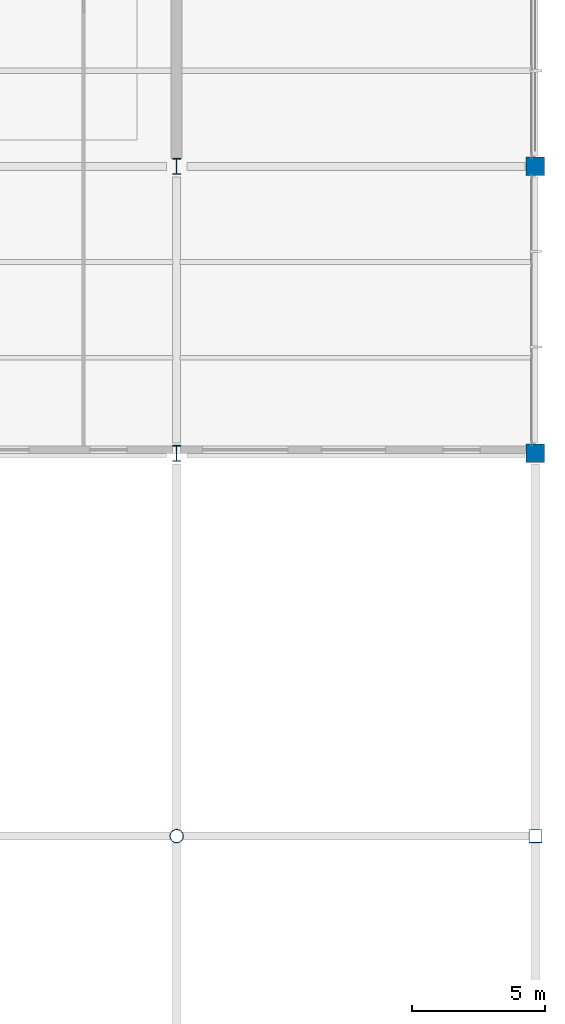
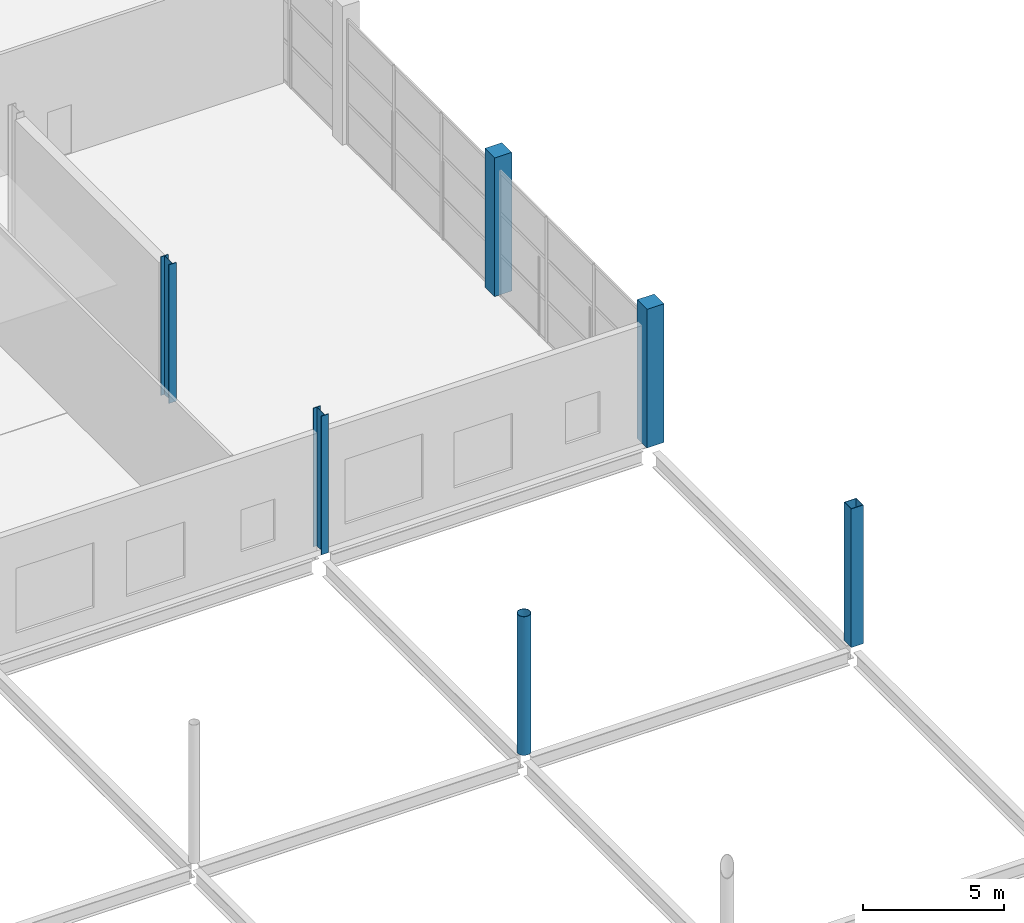
# One storey, part 19 of 191: 6 columns.
"""IFC4 building model written with IfcOpenShell, lengths in metres."""

from ifc_helpers import new_model, si_unit, direction, frame, origin, origin_2d, place, context, subcontext, project, spatial, rectangle, hollow_rectangle, hollow_circle, i_section, extrude, material, material_profile, profile_set, type_object, element, save


model = new_model("IFC4")

# Units and contexts
model_context = context("Model", 3, precision=1e-05, world=origin(), true_north=direction((0.0, 1.0)))
body_context = subcontext(model_context, "Body", "Model", "MODEL_VIEW")
ifc_project = project(units=[si_unit("LENGTHUNIT", "METRE"), si_unit("AREAUNIT", "SQUARE_METRE"), si_unit("VOLUMEUNIT", "CUBIC_METRE"), si_unit("PLANEANGLEUNIT", "RADIAN"), si_unit("MASSUNIT", "GRAM", prefix="KILO")], contexts=[model_context])

# Site, building, storey
site_placement = place(None, origin())
site = spatial("IfcSite", under=ifc_project, at=site_placement, CompositionType="ELEMENT")
building_placement = place(site_placement, origin())
building = spatial("IfcBuilding", under=site, at=building_placement, Name="Tamarisk Ironworks Central Station", CompositionType="ELEMENT")
storey_placement = place(building_placement, frame((0.0, 0.0, 6.60009765625)))
storey = spatial("IfcBuildingStorey", under=building, at=storey_placement, Name="L01", CompositionType="ELEMENT", Elevation=6.60009765625)

# Columns
ifc_material_1 = material(Name="Concrete C50/60", Category="concrete")
ifc_material_profile_1 = material_profile(ifc_material_1, rectangle(XDim=0.699951171875, YDim=0.699951171875, at=origin_2d()), Name="RC 700x700")
ifc_profile_set_1 = profile_set([ifc_material_profile_1], Name="Concrete C50/60")
column_type_1 = type_object("IfcColumnType", Name="COL-RC02", PredefinedType="COLUMN", material=ifc_profile_set_1)
for number, where, z_axis, x_axis, name in (
    (1, (180.0, 79.199951171875, 0.0), (0.0, 0.0, 1.0), (1.0, 0.0, 0.0), "L01 column V5-20G"),
    (2, (180.0, 90.0, 0.0), (0.0, 0.0, 1.0), (1.0, 0.0, 0.0), "L01 column V5-20H"),
):
    element("IfcColumn", number, at=place(storey_placement, frame(where, z_axis=z_axis, x_axis=x_axis)), inside=storey, type_object=column_type_1, Name=name, PredefinedType="COLUMN", context=body_context, shape_type="SweptSolid", body=[
        extrude(rectangle(XDim=0.699951171875, YDim=0.699951171875, at=origin_2d()), origin(), (0.0, 0.0, 1.0), 6.0),
    ])
ifc_material_2 = material(Name="Structural steel S355J2", Category="steel")
ifc_material_profile_2 = material_profile(ifc_material_2, i_section(OverallWidth=0.300048828125, OverallDepth=0.60009765625, WebThickness=0.015380859375, FlangeThickness=0.029052734375, at=origin_2d()), Name="HEB 600")
ifc_profile_set_2 = profile_set([ifc_material_profile_2], Name="Structural steel S355J2")
column_type_2 = type_object("IfcColumnType", Name="COL-S05", PredefinedType="COLUMN", material=ifc_profile_set_2)
for number, where, z_axis, x_axis, name in (
    (3, (166.5, 79.199951171875, 0.0), (0.0, 0.0, 1.0), (1.0, 0.0, 0.0), "L01 column V5-19G"),
    (4, (166.5, 90.0, 0.0), (0.0, 0.0, 1.0), (1.0, 0.0, 0.0), "L01 column V5-19H"),
):
    element("IfcColumn", number, at=place(storey_placement, frame(where, z_axis=z_axis, x_axis=x_axis)), inside=storey, type_object=column_type_2, Name=name, PredefinedType="COLUMN", context=body_context, shape_type="SweptSolid", body=[
        extrude(i_section(OverallWidth=0.300048828125, OverallDepth=0.60009765625, WebThickness=0.015380859375, FlangeThickness=0.029052734375, at=origin_2d()), origin(), (0.0, 0.0, 1.0), 6.0),
    ])
ifc_material_3 = material(Name="Structural steel S355J2H", Category="steel")
ifc_material_profile_3 = material_profile(ifc_material_3, hollow_rectangle(XDim=0.5, YDim=0.5, WallThickness=0.02001953125, at=origin_2d()), Name="SHS 500x500x20")
ifc_profile_set_3 = profile_set([ifc_material_profile_3], Name="Structural steel S355J2H")
column_type_3 = type_object("IfcColumnType", Name="COL-S13", PredefinedType="COLUMN", material=ifc_profile_set_3)
column_1_placement = place(storey_placement, frame((180.0, 64.800048828125, 0.0), z_axis=(0.0, 0.0, 1.0), x_axis=(1.0, 0.0, 0.0)))
element("IfcColumn", 5, at=column_1_placement, inside=storey, type_object=column_type_3, Name="L01 column V1-20F", PredefinedType="COLUMN", context=body_context, shape_type="SweptSolid", body=[
    extrude(hollow_rectangle(XDim=0.5, YDim=0.5, WallThickness=0.02001953125, at=origin_2d()), origin(), (0.0, 0.0, 1.0), 6.0),
])
ifc_material_profile_4 = material_profile(ifc_material_3, hollow_circle(Radius=0.25390625, WallThickness=0.01611328125, at=origin_2d()), Name="CHS 508x16")
ifc_profile_set_4 = profile_set([ifc_material_profile_4], Name="Structural steel S355J2H")
column_type_4 = type_object("IfcColumnType", Name="COL-S16", PredefinedType="COLUMN", material=ifc_profile_set_4)
column_2_placement = place(storey_placement, frame((166.5, 64.800048828125, 0.0), z_axis=(0.0, 0.0, 1.0), x_axis=(1.0, 0.0, 0.0)))
element("IfcColumn", 6, at=column_2_placement, inside=storey, type_object=column_type_4, Name="L01 column V1-19F", PredefinedType="COLUMN", context=body_context, shape_type="SweptSolid", body=[
    extrude(hollow_circle(Radius=0.25390625, WallThickness=0.01611328125, at=origin_2d()), origin(), (0.0, 0.0, 1.0), 6.0),
])

save(model, "model.ifc")
